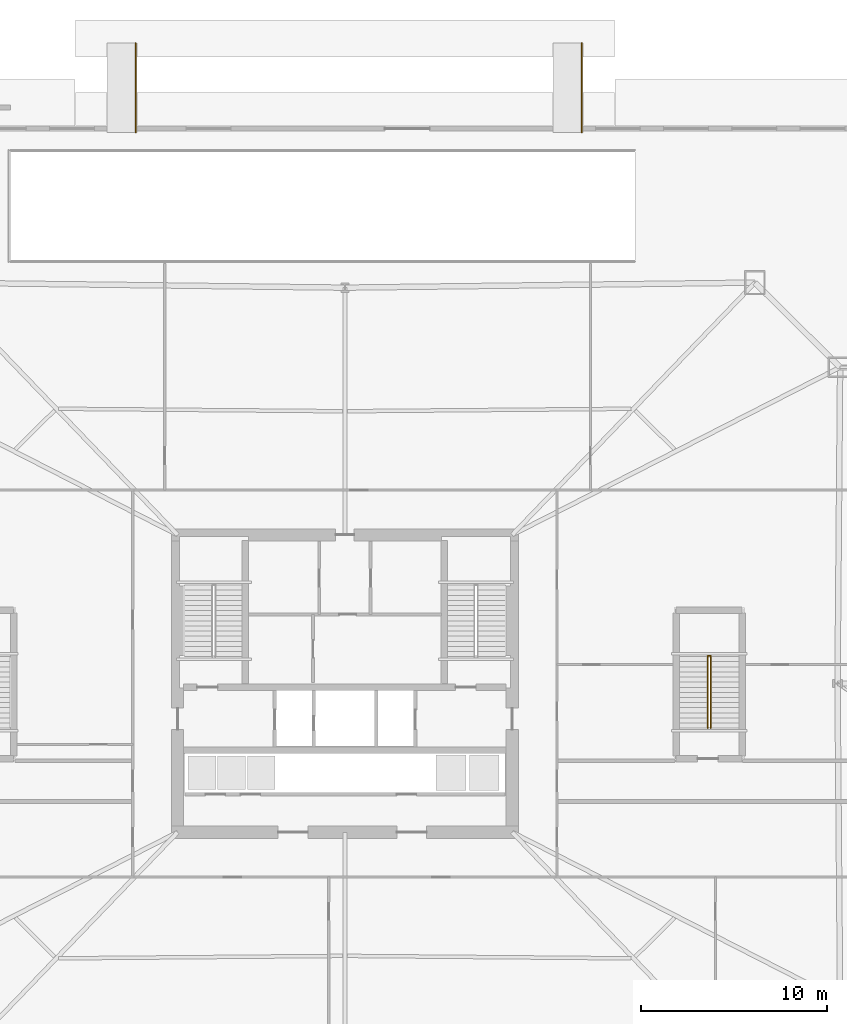
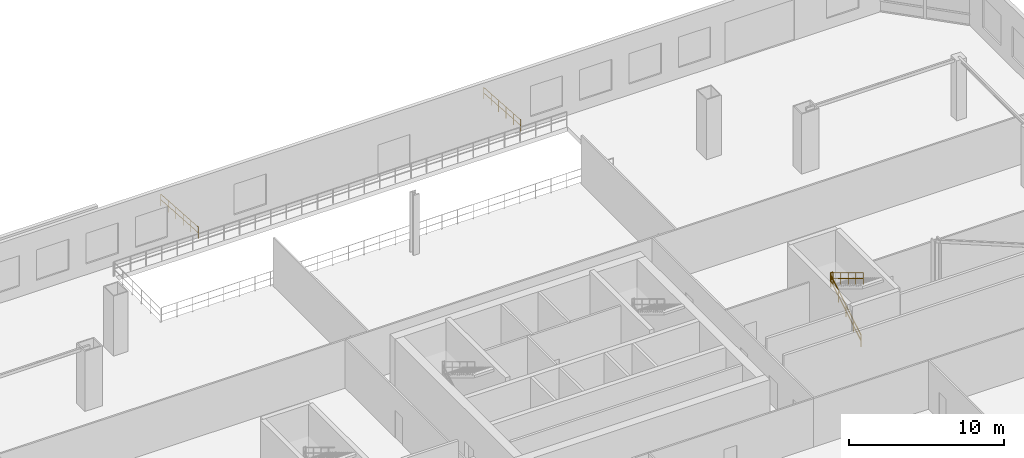
# One storey, part 22 of 23: 5 railings.
"""IFC4 building model written with IfcOpenShell, lengths in metres."""

import ifcopenshell
import ifcopenshell.guid

model = None  # the IFC model being written
_history = None  # IfcOwnerHistory: only IFC2X3 demands one
_inside = {}  # id of a spatial element -> (the spatial element, [elements in it])
_under = {}  # id of a project, library or spatial element -> (it, [spatial elements below it])
_declared = {}  # id of a project -> (the project, [libraries it declares])
_typed = {}  # id of a type object -> (the type object, [elements of that type])
_made_of = {}  # id of a material, layer set ... -> (it, [elements and type objects made of it])


def new_model(schema):
    """Start an empty IFC model of exactly this schema.

    Asked for "IFC4X3", IfcOpenShell would pick the latest addendum, in which some entities
    have other attributes; the version numbers below select the first issue.
    IFC2X3 requires an IfcOwnerHistory on every rooted entity: one is made here for all.
    """
    global model, _history
    if schema == "IFC4X3":
        model = ifcopenshell.file(schema_version=(4, 3, 0, 0))
    else:
        model = ifcopenshell.file(schema=schema)
    _inside.clear()
    _under.clear()
    _declared.clear()
    _typed.clear()
    _made_of.clear()
    _history = None
    if model.schema == "IFC2X3":
        org = make("IfcOrganization", Name="unknown")
        user = make(
            "IfcPersonAndOrganization",
            ThePerson=make("IfcPerson", FamilyName="unknown"),
            TheOrganization=org,
        )
        app = make(
            "IfcApplication",
            ApplicationDeveloper=org,
            Version="unknown",
            ApplicationFullName="unknown",
            ApplicationIdentifier="unknown",
        )
        _history = make(
            "IfcOwnerHistory",
            OwningUser=user,
            OwningApplication=app,
            ChangeAction="ADDED",
            CreationDate=0,
        )
    return model


def make(cls, **values):
    """One entity of the class cls with the attributes given. An attribute that is None is left unset."""
    return model.create_entity(
        cls, **{name: value for name, value in values.items() if value is not None}
    )


def rooted(cls, **values):
    """An entity with a GlobalId (a new one), such as an element, a storey or a relation."""
    return make(cls, GlobalId=ifcopenshell.guid.new(), OwnerHistory=_history, **values)


def si_unit(unit_type, name, prefix=None):
    """IfcSIUnit, for example si_unit("LENGTHUNIT", "METRE", prefix="MILLI")."""
    return make("IfcSIUnit", UnitType=unit_type, Prefix=prefix, Name=name)


def assignment(units):
    """IfcUnitAssignment: the units of a project."""
    return None if units is None else make("IfcUnitAssignment", Units=units)


def point(xyz):
    """IfcCartesianPoint."""
    return None if xyz is None else make("IfcCartesianPoint", Coordinates=xyz)


def direction(xyz):
    """IfcDirection."""
    return None if xyz is None else make("IfcDirection", DirectionRatios=xyz)


def frame(location, z_axis=None, x_axis=None):
    """IfcAxis2Placement3D, a coordinate frame: its origin and axes. An axis left out is left unset."""
    return make(
        "IfcAxis2Placement3D",
        Location=point(location),
        Axis=direction(z_axis),
        RefDirection=direction(x_axis),
    )


def frame_2d(location, x_axis=None):
    """IfcAxis2Placement2D, a coordinate frame in the plane: its origin and x axis."""
    return make(
        "IfcAxis2Placement2D", Location=point(location), RefDirection=direction(x_axis)
    )


def origin():
    """The frame at (0, 0, 0) with its axes left unset."""
    return frame((0.0, 0.0, 0.0))


def origin_2d():
    """The frame at (0, 0) in the plane with its x axis left unset."""
    return frame_2d((0.0, 0.0))


def place(relative_to, where):
    """IfcLocalPlacement: puts the frame where relative to a parent placement (None: the world)."""
    return make(
        "IfcLocalPlacement", PlacementRelTo=relative_to, RelativePlacement=where
    )


def context(
    kind, dimensions, precision=None, world=None, true_north=None, identifier=None
):
    """IfcGeometricRepresentationContext, for example the 3D "Model" context."""
    return make(
        "IfcGeometricRepresentationContext",
        ContextIdentifier=identifier,
        ContextType=kind,
        CoordinateSpaceDimension=dimensions,
        Precision=precision,
        WorldCoordinateSystem=world,
        TrueNorth=true_north,
    )


def subcontext(parent, identifier, kind, view, scale=None):
    """IfcGeometricRepresentationSubContext, for example "Body" below "Model"."""
    return make(
        "IfcGeometricRepresentationSubContext",
        ContextIdentifier=identifier,
        ContextType=kind,
        ParentContext=parent,
        TargetScale=scale,
        TargetView=view,
    )


def project(units=None, contexts=None):
    """IfcProject with its units and contexts."""
    return rooted(
        "IfcProject",
        Name="project",
        RepresentationContexts=contexts,
        UnitsInContext=assignment(units),
    )


def spatial(cls, under=None, at=None, **own):
    """A site, building, storey or space (cls), placed at a placement, below another one or the project."""
    s = rooted(cls, ObjectPlacement=at, **own)
    if under is not None:
        _under.setdefault(under.id(), (under, []))[1].append(s)
    return s


def profile(cls, at=None, kind="AREA", **sizes):
    """A parametric profile (cls). Its sizes go by their IFC names, for example OverallWidth=200.0."""
    return make(cls, ProfileType=kind, Position=at, **sizes)


def circle(**sizes):
    """IfcCircleProfileDef."""
    return profile("IfcCircleProfileDef", **sizes)


def extrude(swept, where, along, depth):
    """IfcExtrudedAreaSolid: the profile swept, set in the frame where, extruded along a direction by depth."""
    return make(
        "IfcExtrudedAreaSolid",
        SweptArea=swept,
        Position=where,
        ExtrudedDirection=direction(along),
        Depth=depth,
    )


def shape(context_of_items, identifier, shape_type, items):
    """IfcShapeRepresentation: the items that make up one representation, for example the "Body"."""
    return make(
        "IfcShapeRepresentation",
        ContextOfItems=context_of_items,
        RepresentationIdentifier=identifier,
        RepresentationType=shape_type,
        Items=items,
    )


def material(Name=None, Category=None):
    """IfcMaterial."""
    return make("IfcMaterial", Name=Name, Category=Category)


def made_of(thing, what):
    """Note that an element or type object is made of a material, layer set ...; save() writes the relation."""
    if what is not None:
        _made_of.setdefault(what.id(), (what, []))[1].append(thing)
    return thing


def type_object(cls, material=None, **own):
    """A type object (cls), such as IfcWallType, which elements share."""
    return made_of(rooted(cls, **own), material)


def element(
    cls,
    number,
    at=None,
    inside=None,
    cuts=None,
    type_object=None,
    material=None,
    context=None,
    identifier="Body",
    shape_type=None,
    held_by="IfcProductDefinitionShape",
    body=None,
    shapes=None,
    **own,
):
    """One element of the class cls, such as IfcWall. Its Tag is "e" and its number.

    at: its placement. inside: the storey or other place that contains it. cuts: it is an
    opening in that element (IfcRelVoidsElement). A single representation is given by context,
    identifier, shape_type and body (its items); several are given by shapes. held_by: the class
    of the entity that holds the representations. save() writes the other relations.
    """
    e = rooted(cls, Tag="e%d" % number, ObjectPlacement=at, **own)
    if body is not None:
        shapes = [shape(context, identifier, shape_type, body)]
    if shapes is not None:
        e.Representation = make(held_by, Representations=shapes)
    if inside is not None:
        _inside.setdefault(inside.id(), (inside, []))[1].append(e)
    if cuts is not None:
        rooted(
            "IfcRelVoidsElement", RelatingBuildingElement=cuts, RelatedOpeningElement=e
        )
    if type_object is not None:
        _typed.setdefault(type_object.id(), (type_object, []))[1].append(e)
    return made_of(e, material)


def aggregate(whole, parts):
    """IfcRelAggregates: a whole, such as a stair, and the parts it consists of."""
    return rooted("IfcRelAggregates", RelatingObject=whole, RelatedObjects=parts)


def save(model, path):
    """Write the relations noted so far, then the file.

    IfcRelAggregates (storeys below a building ...), IfcRelContainedInSpatialStructure (elements
    in a storey), IfcRelDefinesByType, IfcRelAssociatesMaterial and IfcRelDeclares: one each for
    every whole, place, type object, material and project.
    """
    for whole, parts in _under.values():
        aggregate(whole, parts)
    for where, things in _inside.values():
        rooted(
            "IfcRelContainedInSpatialStructure",
            RelatedElements=things,
            RelatingStructure=where,
        )
    for kind, things in _typed.values():
        rooted("IfcRelDefinesByType", RelatedObjects=things, RelatingType=kind)
    for what, things in _made_of.values():
        rooted("IfcRelAssociatesMaterial", RelatedObjects=things, RelatingMaterial=what)
    for by, libraries in _declared.values():
        rooted("IfcRelDeclares", RelatingContext=by, RelatedDefinitions=libraries)
    model.write(path)


model = new_model("IFC4")

# Units and contexts
model_context = context("Model", 3, precision=1e-05, world=origin(), true_north=direction((0.0, 1.0)))
body_context = subcontext(model_context, "Body", "Model", "MODEL_VIEW")
ifc_project = project(units=[si_unit("LENGTHUNIT", "METRE"), si_unit("AREAUNIT", "SQUARE_METRE"), si_unit("VOLUMEUNIT", "CUBIC_METRE"), si_unit("PLANEANGLEUNIT", "RADIAN"), si_unit("MASSUNIT", "GRAM", prefix="KILO")], contexts=[model_context])

# Site, building, storey
site_placement = place(None, origin())
site = spatial("IfcSite", under=ifc_project, at=site_placement, CompositionType="ELEMENT")
building_placement = place(site_placement, origin())
building = spatial("IfcBuilding", under=site, at=building_placement, Name="Caelvoria Tower", CompositionType="ELEMENT")
storey_placement = place(building_placement, origin())
storey = spatial("IfcBuildingStorey", under=building, at=storey_placement, Name="L00", CompositionType="ELEMENT", Elevation=0.0)

# Railings
ifc_material_1 = material(Name="Brushed Stainless Steel Tube", Category="steel")
railing_type_1 = type_object("IfcRailingType", Name="Stair Tubular Stainless Handrail 920", PredefinedType="HANDRAIL", material=ifc_material_1)
railing_1_placement = place(storey_placement, frame((65.52001953125, 29.60009765625, 0.166748046875)))
element("IfcRailing", 1, at=railing_1_placement, inside=storey, type_object=railing_type_1, Name="ST-04 Flight 1 Handrail L00", PredefinedType="HANDRAIL", context=body_context, shape_type="SweptSolid", body=[
    extrude(circle(Radius=0.02392578125, at=origin_2d()), frame((0.0, 0.0, 0.89599609375), z_axis=(0.0, 0.855197103107, 0.518302918029), x_axis=(-1.0, 0.0, 0.0)), (0.0, 0.0, 1.0), 4.501708984375),
    extrude(circle(Radius=0.02392578125, at=origin_2d()), frame((0.0, 0.0, 0.4599609375), z_axis=(0.0, 0.855197103107, 0.518302918029), x_axis=(-1.0, 0.0, 0.0)), (0.0, 0.0, 1.0), 4.501708984375),
    extrude(circle(Radius=0.02099609375, at=origin_2d()), origin(), (0.0, 0.0, 1.0), 0.871826171875),
    extrude(circle(Radius=0.02099609375, at=origin_2d()), frame((0.0, 0.96240234375, 0.583251953125)), (0.0, 0.0, 1.0), 0.871826171875),
    extrude(circle(Radius=0.02099609375, at=origin_2d()), frame((0.0, 1.9248046875, 1.16650390625)), (0.0, 0.0, 1.0), 0.871826171875),
    extrude(circle(Radius=0.02099609375, at=origin_2d()), frame((0.0, 2.887451171875, 1.75)), (0.0, 0.0, 1.0), 0.871826171875),
    extrude(circle(Radius=0.02099609375, at=origin_2d()), frame((0.0, 3.849853515625, 2.333251953125)), (0.0, 0.0, 1.0), 0.871826171875),
])
railing_2_placement = place(storey_placement, frame((65.679931640625, 33.449951171875, 2.666748046875)))
element("IfcRailing", 2, at=railing_2_placement, inside=storey, type_object=railing_type_1, Name="ST-04 Flight 2 Handrail L00", PredefinedType="HANDRAIL", context=body_context, shape_type="SweptSolid", body=[
    extrude(circle(Radius=0.02392578125, at=origin_2d()), frame((0.0, 0.0, 0.89599609375), z_axis=(0.0, -0.855197103107, 0.518302918029), x_axis=(1.0, 0.0, 0.0)), (0.0, 0.0, 1.0), 4.501708984375),
    extrude(circle(Radius=0.02392578125, at=origin_2d()), frame((0.0, 0.0, 0.4599609375), z_axis=(0.0, -0.855197103107, 0.518302918029), x_axis=(1.0, 0.0, 0.0)), (0.0, 0.0, 1.0), 4.501708984375),
    extrude(circle(Radius=0.02099609375, at=origin_2d()), origin(), (0.0, 0.0, 1.0), 0.871826171875),
    extrude(circle(Radius=0.02099609375, at=origin_2d()), frame((0.0, -0.96240234375, 0.583251953125)), (0.0, 0.0, 1.0), 0.871826171875),
    extrude(circle(Radius=0.02099609375, at=origin_2d()), frame((0.0, -1.9248046875, 1.16650390625)), (0.0, 0.0, 1.0), 0.871826171875),
    extrude(circle(Radius=0.02099609375, at=origin_2d()), frame((0.0, -2.887451171875, 1.75)), (0.0, 0.0, 1.0), 0.871826171875),
    extrude(circle(Radius=0.02099609375, at=origin_2d()), frame((0.0, -3.849853515625, 2.333251953125)), (0.0, 0.0, 1.0), 0.871826171875),
])
for number, where, name in (
    (3, (34.739990234375, 66.449951171875, -0.330078125), "Accessible Ramp Handrail AR-04"),
    (4, (58.739990234375, 66.449951171875, -0.330078125), "Accessible Ramp Handrail AR-05"),
):
    element("IfcRailing", number, at=place(storey_placement, frame(where)), inside=storey, type_object=railing_type_1, Name=name, PredefinedType="HANDRAIL", context=body_context, shape_type="SweptSolid", body=[
        extrude(circle(Radius=0.02392578125, at=origin_2d()), frame((0.0, 0.0, 0.89599609375), z_axis=(0.0, -0.997644000079, 0.068603564829), x_axis=(1.0, 0.0, 0.0)), (0.0, 0.0, 1.0), 4.811279296875),
        extrude(circle(Radius=0.02392578125, at=origin_2d()), frame((0.0, 0.0, 0.4599609375), z_axis=(0.0, -0.997644000079, 0.068603564829), x_axis=(1.0, 0.0, 0.0)), (0.0, 0.0, 1.0), 4.811279296875),
        extrude(circle(Radius=0.02099609375, at=origin_2d()), origin(), (0.0, 0.0, 1.0), 0.871826171875),
        extrude(circle(Radius=0.02099609375, at=origin_2d()), frame((0.0, -0.9599609375, 0.06591796875)), (0.0, 0.0, 1.0), 0.871826171875),
        extrude(circle(Radius=0.02099609375, at=origin_2d()), frame((0.0, -1.919921875, 0.132080078125)), (0.0, 0.0, 1.0), 0.871826171875),
        extrude(circle(Radius=0.02099609375, at=origin_2d()), frame((0.0, -2.880126953125, 0.197998046875)), (0.0, 0.0, 1.0), 0.871826171875),
        extrude(circle(Radius=0.02099609375, at=origin_2d()), frame((0.0, -3.840087890625, 0.26416015625)), (0.0, 0.0, 1.0), 0.871826171875),
        extrude(circle(Radius=0.02099609375, at=origin_2d()), frame((0.0, -4.800048828125, 0.330078125)), (0.0, 0.0, 1.0), 0.871826171875),
    ])
ifc_material_2 = material(Name="Brushed Stainless Steel Guardrail", Category="steel")
railing_type_2 = type_object("IfcRailingType", Name="Stair Well and Ramp Guardrail 1120", PredefinedType="GUARDRAIL", material=ifc_material_2)
railing_3_placement = place(storey_placement, frame((65.52001953125, 33.489990234375, 2.5)))
element("IfcRailing", 5, at=railing_3_placement, inside=storey, type_object=railing_type_2, Name="ST-04 Half-Landing Well Guard L00", PredefinedType="GUARDRAIL", context=body_context, shape_type="SweptSolid", body=[
    extrude(circle(Radius=0.02392578125, at=origin_2d()), frame((0.0, 0.0, 1.09619140625), z_axis=(1.0, 0.0, 0.0), x_axis=(0.0, 1.0, 0.0)), (0.0, 0.0, 1.0), 0.159912109375),
    extrude(circle(Radius=0.02392578125, at=origin_2d()), frame((0.0, 0.0, 0.56005859375), z_axis=(1.0, 0.0, 0.0), x_axis=(0.0, 1.0, 0.0)), (0.0, 0.0, 1.0), 0.159912109375),
    extrude(circle(Radius=0.02099609375, at=origin_2d()), origin(), (0.0, 0.0, 1.0), 1.072021484375),
    extrude(circle(Radius=0.02099609375, at=origin_2d()), frame((0.159912109375, 0.0, 0.0)), (0.0, 0.0, 1.0), 1.072021484375),
])

save(model, "model.ifc")
